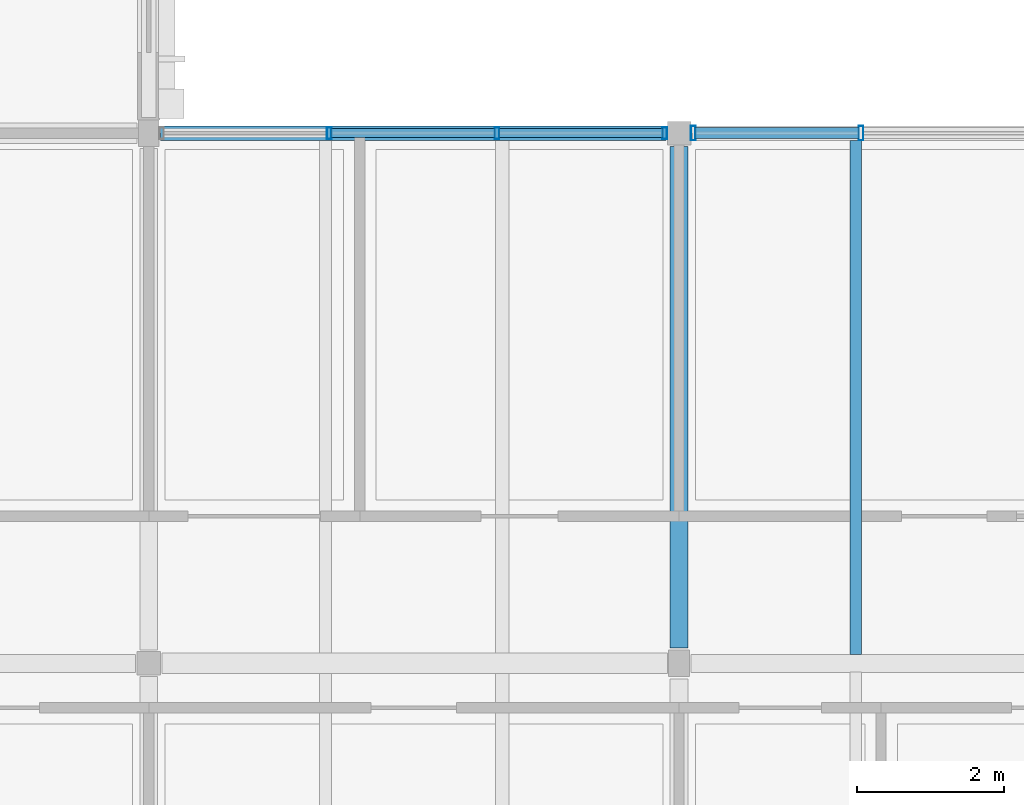
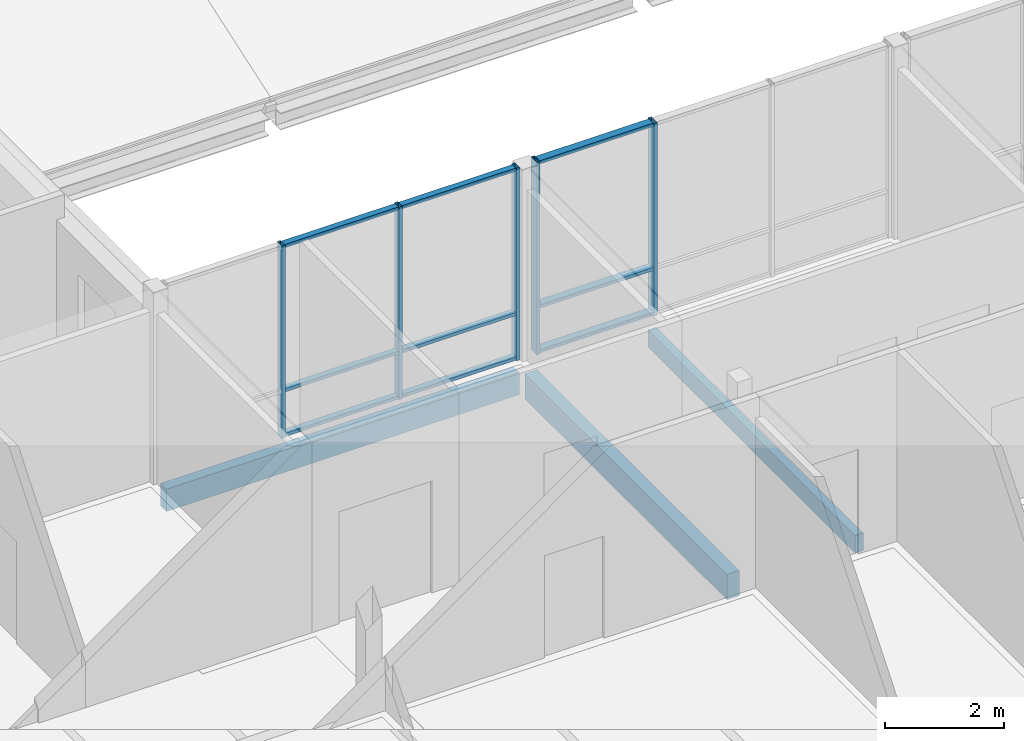
# One storey, part 8 of 115: 14 members, 3 beams, 2 elements without a shape of their own.
"""IFC4 building model written with IfcOpenShell, lengths in metres."""

from ifc_helpers import new_model, si_unit, direction, frame, origin, origin_2d, place, context, subcontext, project, spatial, rectangle, hollow_rectangle, extrude, material, material_profile, profile_set, type_object, element, aggregate, save


model = new_model("IFC4")

# Units and contexts
model_context = context("Model", 3, precision=1e-05, world=origin(), true_north=direction((0.0, 1.0)))
body_context = subcontext(model_context, "Body", "Model", "MODEL_VIEW")
ifc_project = project(units=[si_unit("LENGTHUNIT", "METRE"), si_unit("AREAUNIT", "SQUARE_METRE"), si_unit("VOLUMEUNIT", "CUBIC_METRE"), si_unit("PLANEANGLEUNIT", "RADIAN"), si_unit("MASSUNIT", "GRAM", prefix="KILO")], contexts=[model_context])

# Site, building, storey
site_placement = place(None, origin())
site = spatial("IfcSite", under=ifc_project, at=site_placement, CompositionType="ELEMENT")
building_placement = place(site_placement, origin())
building = spatial("IfcBuilding", under=site, at=building_placement, Name="Hawrajan Terrace Health Centre", CompositionType="ELEMENT")
storey_placement = place(building_placement, frame((0.0, 0.0, 9.0)))
storey = spatial("IfcBuildingStorey", under=building, at=storey_placement, Name="L02", CompositionType="ELEMENT", Elevation=9.0)

# Curtain wall, members
ifc_material_1 = material(Name="Anodized bronze aluminium and low-E solar glazing", Category="aluminium")
curtain_wall_type_1 = type_object("IfcCurtainWallType", Name="CW_Diagnostic_SeriesM2", PredefinedType="USERDEFINED", material=ifc_material_1)
curtain_wall_1_placement = place(storey_placement, origin())
curtain_wall_1 = element("IfcCurtainWall", 1, at=curtain_wall_1_placement, inside=storey, type_object=curtain_wall_type_1, Name="Curtain wall CW-L02-120", ObjectType="UNITISED CURTAIN WALL", PredefinedType="USERDEFINED")
ifc_material_2 = material(Name="Anodized bronze aluminium 6063-T6", Category="aluminium")
ifc_material_profile_1 = material_profile(ifc_material_2, hollow_rectangle(XDim=0.06494140625, YDim=0.159912109375, WallThickness=0.00390625, at=origin_2d()), Name="CW MUL 65x160")
ifc_profile_set_1 = profile_set([ifc_material_profile_1], Name="Anodized bronze aluminium 6063-T6")
member_type_1 = type_object("IfcMemberType", Name="CWMullion_65x160", PredefinedType="MULLION", material=ifc_profile_set_1)
member_1_placement = place(storey_placement, frame((28.65087890625, 18.60009765625, -0.0048828125), z_axis=(0.0, 0.0, 1.0), x_axis=(1.0, 0.0, 0.0)))
member_1 = element("IfcMember", 2, at=member_1_placement, type_object=member_type_1, Name="Mullion CW-L02-120-M2", PredefinedType="MULLION", context=body_context, shape_type="SweptSolid", body=[
    extrude(hollow_rectangle(XDim=0.06494140625, YDim=0.159912109375, WallThickness=0.00390625, at=origin_2d()), origin(), (0.0, 0.0, 1.0), 3.9599609375),
])
member_2_placement = place(storey_placement, frame((30.92919921875, 18.60009765625, -0.0048828125), z_axis=(0.0, 0.0, 1.0), x_axis=(1.0, 0.0, 0.0)))
member_2 = element("IfcMember", 3, at=member_2_placement, type_object=member_type_1, Name="Mullion CW-L02-120-M3", PredefinedType="MULLION", context=body_context, shape_type="SweptSolid", body=[
    extrude(hollow_rectangle(XDim=0.06494140625, YDim=0.159912109375, WallThickness=0.00390625, at=origin_2d()), origin(), (0.0, 0.0, 1.0), 3.9599609375),
])
member_3_placement = place(storey_placement, frame((33.20751953125, 18.60009765625, -0.0048828125), z_axis=(0.0, 0.0, 1.0), x_axis=(1.0, 0.0, 0.0)))
member_3 = element("IfcMember", 4, at=member_3_placement, type_object=member_type_1, Name="Mullion CW-L02-120-M4", PredefinedType="MULLION", context=body_context, shape_type="SweptSolid", body=[
    extrude(hollow_rectangle(XDim=0.06494140625, YDim=0.159912109375, WallThickness=0.00390625, at=origin_2d()), origin(), (0.0, 0.0, 1.0), 3.9599609375),
])

curtain_wall_type_2 = type_object("IfcCurtainWallType", Name="CW_Court_SeriesB1", PredefinedType="USERDEFINED", material=ifc_material_1)
curtain_wall_2_placement = place(storey_placement, origin())
curtain_wall_2 = element("IfcCurtainWall", 5, at=curtain_wall_2_placement, inside=storey, type_object=curtain_wall_type_2, Name="Curtain wall CW-L02-124", ObjectType="UNITISED CURTAIN WALL", PredefinedType="USERDEFINED")
ifc_material_profile_2 = material_profile(ifc_material_2, hollow_rectangle(XDim=0.06494140625, YDim=0.199951171875, WallThickness=0.00439453125, at=origin_2d()), Name="CW MUL 65x200")
ifc_profile_set_2 = profile_set([ifc_material_profile_2], Name="Anodized bronze aluminium 6063-T6")
member_type_2 = type_object("IfcMemberType", Name="CWMullion_65x200", PredefinedType="MULLION", material=ifc_profile_set_2)
member_4_placement = place(storey_placement, frame((33.592529296875, 18.60009765625, -0.0048828125), z_axis=(0.0, 0.0, 1.0), x_axis=(1.0, 0.0, 0.0)))
member_4 = element("IfcMember", 6, at=member_4_placement, type_object=member_type_2, Name="Mullion CW-L02-124-M1", PredefinedType="MULLION", context=body_context, shape_type="SweptSolid", body=[
    extrude(hollow_rectangle(XDim=0.06494140625, YDim=0.199951171875, WallThickness=0.00439453125, at=origin_2d()), origin(), (0.0, 0.0, 1.0), 3.9599609375),
])
member_5_placement = place(storey_placement, frame((35.870849609375, 18.60009765625, -0.0048828125), z_axis=(0.0, 0.0, 1.0), x_axis=(1.0, 0.0, 0.0)))
member_5 = element("IfcMember", 7, at=member_5_placement, type_object=member_type_2, Name="Mullion CW-L02-124-M2", PredefinedType="MULLION", context=body_context, shape_type="SweptSolid", body=[
    extrude(hollow_rectangle(XDim=0.06494140625, YDim=0.199951171875, WallThickness=0.00439453125, at=origin_2d()), origin(), (0.0, 0.0, 1.0), 3.9599609375),
])

# Member
ifc_material_profile_3 = material_profile(ifc_material_2, hollow_rectangle(XDim=0.06494140625, YDim=0.1201171875, WallThickness=0.00341796875, at=origin_2d()), Name="CW TRN 65x120")
ifc_profile_set_3 = profile_set([ifc_material_profile_3], Name="Anodized bronze aluminium 6063-T6")
member_type_3 = type_object("IfcMemberType", Name="CWTransom_65x120", PredefinedType="USERDEFINED", material=ifc_profile_set_3)
member_6_placement = place(storey_placement, frame((28.67724609375, 18.60009765625, 0.032470703125), z_axis=(1.0, 0.0, 0.0), x_axis=(0.0, 0.0, 1.0)))
member_6 = element("IfcMember", 8, at=member_6_placement, type_object=member_type_3, Name="Transom CW-L02-120-T2-1", ObjectType="TRANSOM", PredefinedType="USERDEFINED", context=body_context, shape_type="SweptSolid", body=[
    extrude(hollow_rectangle(XDim=0.06494140625, YDim=0.1201171875, WallThickness=0.00341796875, at=origin_2d()), origin(), (0.0, 0.0, 1.0), 2.225341796875),
])

member_7_placement = place(storey_placement, frame((28.67724609375, 18.60009765625, 0.949951171875), z_axis=(1.0, 0.0, 0.0), x_axis=(0.0, 0.0, 1.0)))
member_7 = element("IfcMember", 9, at=member_7_placement, type_object=member_type_3, Name="Transom CW-L02-120-T2-2", ObjectType="TRANSOM", PredefinedType="USERDEFINED", context=body_context, shape_type="SweptSolid", body=[
    extrude(hollow_rectangle(XDim=0.06494140625, YDim=0.1201171875, WallThickness=0.00341796875, at=origin_2d()), origin(), (0.0, 0.0, 1.0), 2.225341796875),
])

member_8_placement = place(storey_placement, frame((28.67724609375, 18.60009765625, 3.91748046875), z_axis=(1.0, 0.0, 0.0), x_axis=(0.0, 0.0, 1.0)))
member_8 = element("IfcMember", 10, at=member_8_placement, type_object=member_type_3, Name="Transom CW-L02-120-T2-3", ObjectType="TRANSOM", PredefinedType="USERDEFINED", context=body_context, shape_type="SweptSolid", body=[
    extrude(hollow_rectangle(XDim=0.06494140625, YDim=0.1201171875, WallThickness=0.00341796875, at=origin_2d()), origin(), (0.0, 0.0, 1.0), 2.225341796875),
])

member_9_placement = place(storey_placement, frame((30.955810546875, 18.60009765625, 0.032470703125), z_axis=(1.0, 0.0, 0.0), x_axis=(0.0, 0.0, 1.0)))
member_9 = element("IfcMember", 11, at=member_9_placement, type_object=member_type_3, Name="Transom CW-L02-120-T3-1", ObjectType="TRANSOM", PredefinedType="USERDEFINED", context=body_context, shape_type="SweptSolid", body=[
    extrude(hollow_rectangle(XDim=0.06494140625, YDim=0.1201171875, WallThickness=0.00341796875, at=origin_2d()), origin(), (0.0, 0.0, 1.0), 2.22509765625),
])

member_10_placement = place(storey_placement, frame((30.955810546875, 18.60009765625, 0.949951171875), z_axis=(1.0, 0.0, 0.0), x_axis=(0.0, 0.0, 1.0)))
member_10 = element("IfcMember", 12, at=member_10_placement, type_object=member_type_3, Name="Transom CW-L02-120-T3-2", ObjectType="TRANSOM", PredefinedType="USERDEFINED", context=body_context, shape_type="SweptSolid", body=[
    extrude(hollow_rectangle(XDim=0.06494140625, YDim=0.1201171875, WallThickness=0.00341796875, at=origin_2d()), origin(), (0.0, 0.0, 1.0), 2.22509765625),
])

member_11_placement = place(storey_placement, frame((30.955810546875, 18.60009765625, 3.91748046875), z_axis=(1.0, 0.0, 0.0), x_axis=(0.0, 0.0, 1.0)))
member_11 = element("IfcMember", 13, at=member_11_placement, type_object=member_type_3, Name="Transom CW-L02-120-T3-3", ObjectType="TRANSOM", PredefinedType="USERDEFINED", context=body_context, shape_type="SweptSolid", body=[
    extrude(hollow_rectangle(XDim=0.06494140625, YDim=0.1201171875, WallThickness=0.00341796875, at=origin_2d()), origin(), (0.0, 0.0, 1.0), 2.22509765625),
])

aggregate(curtain_wall_1, [member_1, member_2, member_3, member_6, member_7, member_8, member_9, member_10, member_11])

ifc_material_profile_4 = material_profile(ifc_material_2, hollow_rectangle(XDim=0.06494140625, YDim=0.14990234375, WallThickness=0.00390625, at=origin_2d()), Name="CW TRN 65x150")
ifc_profile_set_4 = profile_set([ifc_material_profile_4], Name="Anodized bronze aluminium 6063-T6")
member_type_4 = type_object("IfcMemberType", Name="CWTransom_65x150", PredefinedType="USERDEFINED", material=ifc_profile_set_4)
member_12_placement = place(storey_placement, frame((33.618896484375, 18.60009765625, 0.032470703125), z_axis=(1.0, 0.0, 0.0), x_axis=(0.0, 0.0, 1.0)))
member_12 = element("IfcMember", 14, at=member_12_placement, type_object=member_type_4, Name="Transom CW-L02-124-T1-1", ObjectType="TRANSOM", PredefinedType="USERDEFINED", context=body_context, shape_type="SweptSolid", body=[
    extrude(hollow_rectangle(XDim=0.06494140625, YDim=0.14990234375, WallThickness=0.00390625, at=origin_2d()), origin(), (0.0, 0.0, 1.0), 2.225341796875),
])

member_13_placement = place(storey_placement, frame((33.618896484375, 18.60009765625, 0.949951171875), z_axis=(1.0, 0.0, 0.0), x_axis=(0.0, 0.0, 1.0)))
member_13 = element("IfcMember", 15, at=member_13_placement, type_object=member_type_4, Name="Transom CW-L02-124-T1-2", ObjectType="TRANSOM", PredefinedType="USERDEFINED", context=body_context, shape_type="SweptSolid", body=[
    extrude(hollow_rectangle(XDim=0.06494140625, YDim=0.14990234375, WallThickness=0.00390625, at=origin_2d()), origin(), (0.0, 0.0, 1.0), 2.225341796875),
])

member_14_placement = place(storey_placement, frame((33.618896484375, 18.60009765625, 3.91748046875), z_axis=(1.0, 0.0, 0.0), x_axis=(0.0, 0.0, 1.0)))
member_14 = element("IfcMember", 16, at=member_14_placement, type_object=member_type_4, Name="Transom CW-L02-124-T1-3", ObjectType="TRANSOM", PredefinedType="USERDEFINED", context=body_context, shape_type="SweptSolid", body=[
    extrude(hollow_rectangle(XDim=0.06494140625, YDim=0.14990234375, WallThickness=0.00390625, at=origin_2d()), origin(), (0.0, 0.0, 1.0), 2.225341796875),
])

aggregate(curtain_wall_2, [member_4, member_5, member_12, member_13, member_14])

# Beams
ifc_material_3 = material(Name="Glulam GL32h", Category="wood")
ifc_material_profile_5 = material_profile(ifc_material_3, rectangle(XDim=0.239990234375, YDim=0.52001953125, at=origin_2d()), Name="GL BM 240x520")
ifc_profile_set_5 = profile_set([ifc_material_profile_5], Name="Glulam GL32h")
beam_type_1 = type_object("IfcBeamType", Name="GlulamGirder_240x520", PredefinedType="BEAM", material=ifc_profile_set_5)
beam_1_placement = place(storey_placement, frame((33.39990234375, 11.610107421875, -0.5), z_axis=(0.0, 1.0, 0.0), x_axis=(-1.0, 0.0, 0.0)))
element("IfcBeam", 17, at=beam_1_placement, inside=storey, type_object=beam_type_1, Name="Beam BM-Y-L02-W-X05-2", PredefinedType="BEAM", context=body_context, shape_type="SweptSolid", body=[
    extrude(rectangle(XDim=0.239990234375, YDim=0.52001953125, at=origin_2d()), origin(), (0.0, 0.0, 1.0), 6.809814453125),
])
ifc_material_4 = material(Name="Glulam GL28h", Category="wood")
ifc_material_profile_6 = material_profile(ifc_material_4, rectangle(XDim=0.159912109375, YDim=0.360107421875, at=origin_2d()), Name="GL JST 160x360")
ifc_profile_set_6 = profile_set([ifc_material_profile_6], Name="Glulam GL28h")
beam_type_2 = type_object("IfcBeamType", Name="GlulamJoist_160x360", PredefinedType="JOIST", material=ifc_profile_set_6)
beam_2_placement = place(storey_placement, frame((35.800048828125, 11.52001953125, -0.419921875), z_axis=(0.0, 1.0, 0.0), x_axis=(-1.0, 0.0, 0.0)))
element("IfcBeam", 18, at=beam_2_placement, inside=storey, type_object=beam_type_2, Name="Secondary joist JST-L02-W-05-2-1", PredefinedType="JOIST", context=body_context, shape_type="SweptSolid", body=[
    extrude(rectangle(XDim=0.159912109375, YDim=0.360107421875, at=origin_2d()), origin(), (0.0, 0.0, 1.0), 6.97998046875),
])
ifc_material_profile_7 = material_profile(ifc_material_3, rectangle(XDim=0.199951171875, YDim=0.4599609375, at=origin_2d()), Name="GL SP 200x460")
ifc_profile_set_7 = profile_set([ifc_material_profile_7], Name="Glulam GL32h")
beam_type_3 = type_object("IfcBeamType", Name="GlulamSpandrel_200x460", PredefinedType="SPANDREL", material=ifc_profile_set_7)
beam_3_placement = place(storey_placement, frame((26.360107421875, 18.60009765625, -0.469970703125), z_axis=(1.0, 0.0, 0.0), x_axis=(0.0, 1.0, 0.0)))
element("IfcBeam", 19, at=beam_3_placement, inside=storey, type_object=beam_type_3, Name="Beam BM-X-L02-W-04-Y3", PredefinedType="SPANDREL", context=body_context, shape_type="SweptSolid", body=[
    extrude(rectangle(XDim=0.199951171875, YDim=0.4599609375, at=origin_2d()), origin(), (0.0, 0.0, 1.0), 6.85986328125),
])

save(model, "model.ifc")
